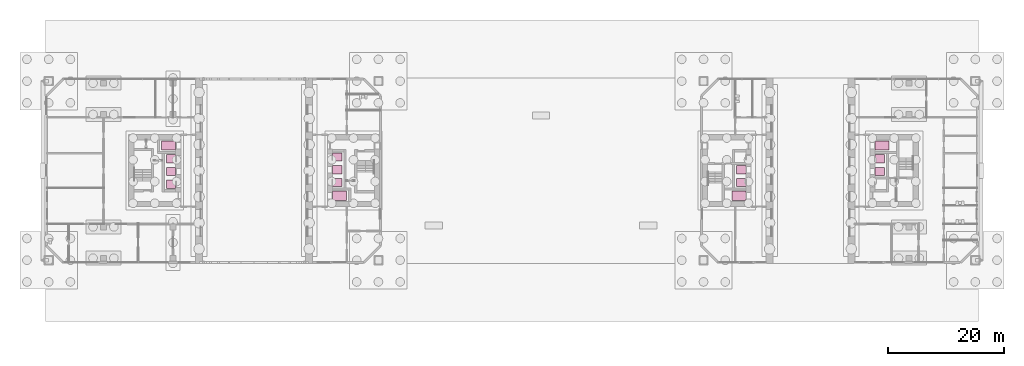
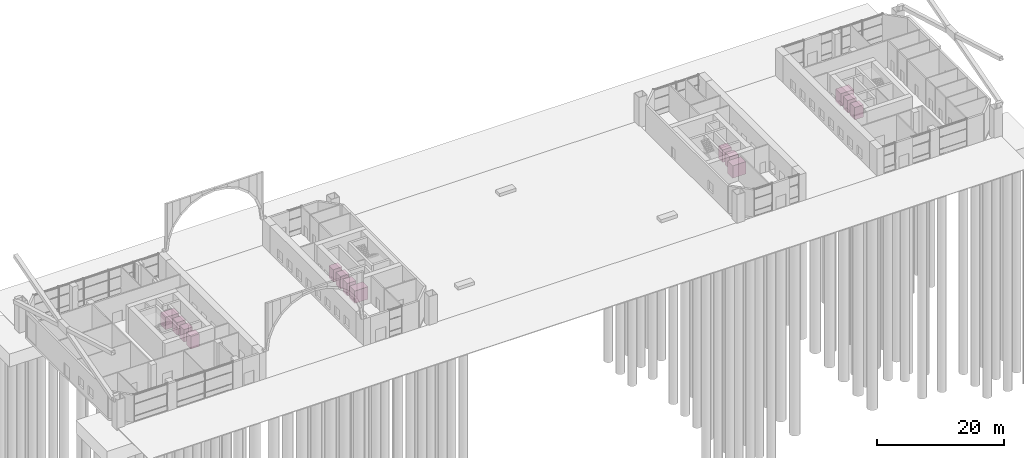
# One storey, part 26 of 26: 14 transport elements.
"""IFC4 building model written with IfcOpenShell, lengths in metres."""

from ifc_helpers import new_model, si_unit, direction, frame, origin, origin_2d, place, context, subcontext, project, spatial, rectangle, extrude, material, type_object, element, save


model = new_model("IFC4")

# Units and contexts
model_context = context("Model", 3, precision=1e-05, world=origin(), true_north=direction((0.0, 1.0)))
body_context = subcontext(model_context, "Body", "Model", "MODEL_VIEW")
ifc_project = project(units=[si_unit("LENGTHUNIT", "METRE"), si_unit("AREAUNIT", "SQUARE_METRE"), si_unit("VOLUMEUNIT", "CUBIC_METRE"), si_unit("PLANEANGLEUNIT", "RADIAN"), si_unit("MASSUNIT", "GRAM", prefix="KILO")], contexts=[model_context])

# Site, building, storey
site_placement = place(None, origin())
site = spatial("IfcSite", under=ifc_project, at=site_placement, CompositionType="ELEMENT")
building_placement = place(site_placement, origin())
building = spatial("IfcBuilding", under=site, at=building_placement, Name="Tuart Gate Housing", CompositionType="ELEMENT")
storey_placement = place(building_placement, origin())
storey = spatial("IfcBuildingStorey", under=building, at=storey_placement, Name="L00", CompositionType="ELEMENT", Elevation=0.0)

# Transport elements
ifc_material_1 = material(Name="Steel", Category="steel")
transport_element_type_1 = type_object("IfcTransportElementType", Name="Firefighting lift 1600 x 2400, 1600 kg", PredefinedType="ELEVATOR", material=ifc_material_1)
for number, where, z_axis, x_axis, name in (
    (1, (68.739990234375, 65.675048828125, 0.0), (0.0, 0.0, 1.0), (0.0, 1.0, 0.0), "Firefighting lift FA1"),
    (2, (39.260009765625, 74.324951171875, 0.0), (0.0, 0.0, 1.0), (0.0, 1.0, 0.0), "Firefighting lift FA2"),
    (3, (137.659912109375, 65.675048828125, 0.0), (0.0, 0.0, 1.0), (0.0, 1.0, 0.0), "Firefighting lift FB1"),
    (4, (162.340087890625, 74.324951171875, 0.0), (0.0, 0.0, 1.0), (0.0, 1.0, 0.0), "Firefighting lift FB2"),
):
    element("IfcTransportElement", number, at=place(storey_placement, frame(where, z_axis=z_axis, x_axis=x_axis)), inside=storey, type_object=transport_element_type_1, Name=name, PredefinedType="ELEVATOR", context=body_context, shape_type="SweptSolid", body=[
        extrude(rectangle(XDim=1.60009765625, YDim=2.39990234375, at=origin_2d()), origin(), (0.0, 0.0, 1.0), 2.39990234375),
    ])
ifc_material_2 = material(Name="Steel", Category="steel")
transport_element_type_2 = type_object("IfcTransportElementType", Name="Passenger lift 1400 x 1600, 1275 kg", PredefinedType="ELEVATOR", material=ifc_material_2)
for number, where, z_axis, x_axis, name in (
    (5, (68.340087890625, 67.949951171875, 0.0), (0.0, 0.0, 1.0), (0.0, 1.0, 0.0), "Passenger lift LA1"),
    (6, (68.340087890625, 70.14990234375, 0.0), (0.0, 0.0, 1.0), (0.0, 1.0, 0.0), "Passenger lift LA2"),
    (7, (68.340087890625, 72.35009765625, 0.0), (0.0, 0.0, 1.0), (0.0, 1.0, 0.0), "Passenger lift LA3"),
    (8, (39.659912109375, 72.050048828125, 0.0), (0.0, 0.0, 1.0), (0.0, 1.0, 0.0), "Passenger lift LA4"),
    (9, (39.659912109375, 69.85009765625, 0.0), (0.0, 0.0, 1.0), (0.0, 1.0, 0.0), "Passenger lift LA5"),
    (10, (39.659912109375, 67.64990234375, 0.0), (0.0, 0.0, 1.0), (0.0, 1.0, 0.0), "Passenger lift LA6"),
    (11, (138.06005859375, 67.949951171875, 0.0), (0.0, 0.0, 1.0), (0.0, 1.0, 0.0), "Passenger lift LB1"),
    (12, (138.06005859375, 70.14990234375, 0.0), (0.0, 0.0, 1.0), (0.0, 1.0, 0.0), "Passenger lift LB2"),
    (13, (161.93994140625, 72.050048828125, 0.0), (0.0, 0.0, 1.0), (0.0, 1.0, 0.0), "Passenger lift LB3"),
    (14, (161.93994140625, 69.85009765625, 0.0), (0.0, 0.0, 1.0), (0.0, 1.0, 0.0), "Passenger lift LB4"),
):
    element("IfcTransportElement", number, at=place(storey_placement, frame(where, z_axis=z_axis, x_axis=x_axis)), inside=storey, type_object=transport_element_type_2, Name=name, PredefinedType="ELEVATOR", context=body_context, shape_type="SweptSolid", body=[
        extrude(rectangle(XDim=1.39990234375, YDim=1.60009765625, at=origin_2d()), origin(), (0.0, 0.0, 1.0), 2.39990234375),
    ])

save(model, "model.ifc")
